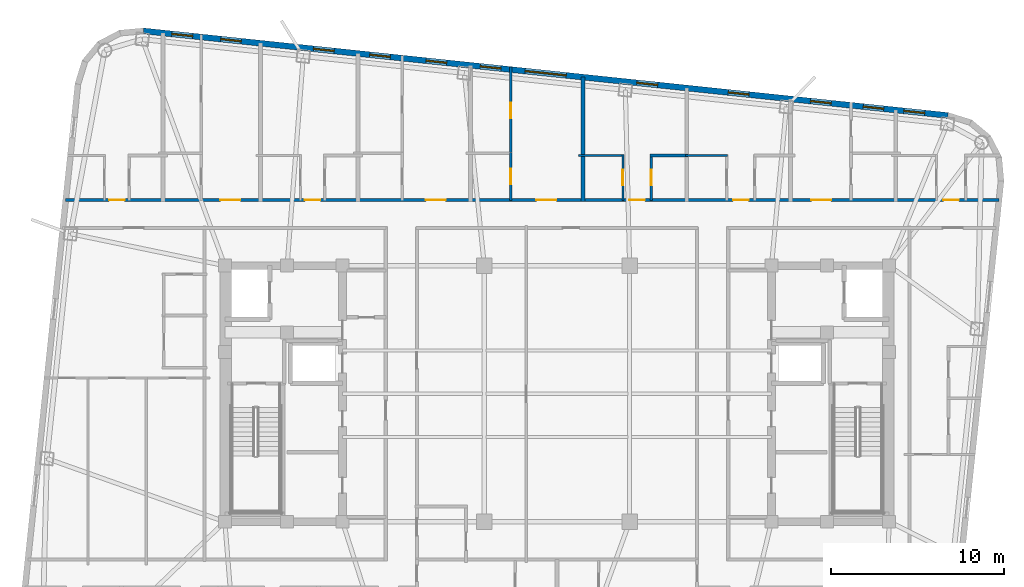
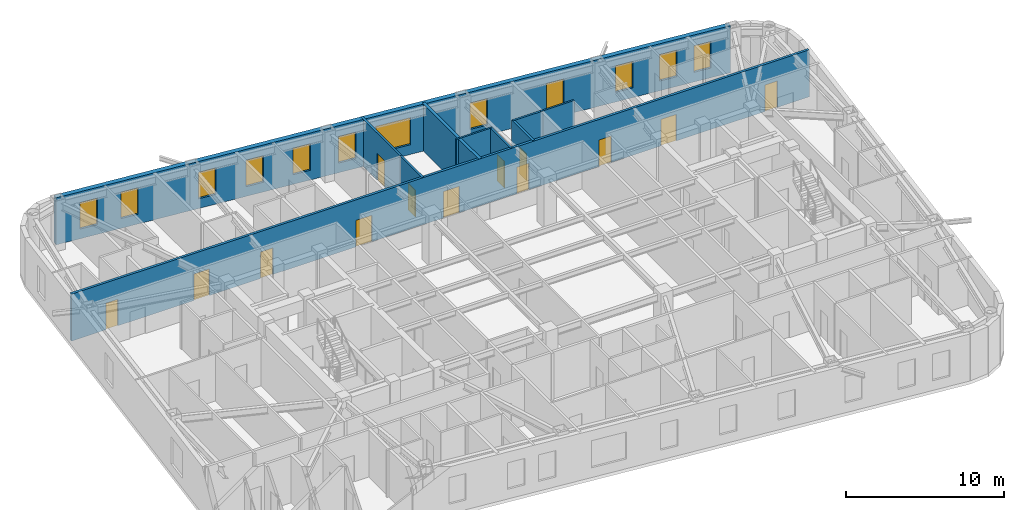
# One storey, part 8 of 11: 13 doors, 12 windows, 10 walls, 25 openings.
"""IFC4 building model written with IfcOpenShell, lengths in metres."""

from ifc_helpers import new_model, si_unit, direction, frame, frame_2d, origin, place, context, subcontext, project, spatial, rectangle, extrude, material, layer, layer_set, type_object, element, fill, save


model = new_model("IFC4")

# Units and contexts
model_context = context("Model", 3, precision=1e-05, world=origin(), true_north=direction((0.0, 1.0)))
body_context = subcontext(model_context, "Body", "Model", "MODEL_VIEW")
ifc_project = project(units=[si_unit("LENGTHUNIT", "METRE"), si_unit("AREAUNIT", "SQUARE_METRE"), si_unit("VOLUMEUNIT", "CUBIC_METRE"), si_unit("PLANEANGLEUNIT", "RADIAN"), si_unit("MASSUNIT", "GRAM", prefix="KILO")], contexts=[model_context])

# Site, building, storey
site_placement = place(None, origin())
site = spatial("IfcSite", under=ifc_project, at=site_placement, CompositionType="ELEMENT")
building_placement = place(site_placement, origin())
building = spatial("IfcBuilding", under=site, at=building_placement, Name="Voryun Gate Residences", CompositionType="ELEMENT")
storey_placement = place(building_placement, frame((0.0, 0.0, 287.300048828125)))
storey = spatial("IfcBuildingStorey", under=building, at=storey_placement, Name="L71", CompositionType="ELEMENT", Elevation=287.300048828125)

# Wall, openings, doors
ifc_material_1 = material(Name="Gypsum acoustic fireboard")
ifc_layer_1 = layer(ifc_material_1, 0.179931640625, Name="W_CORR_RATED_180")
ifc_layer_set_1 = layer_set([ifc_layer_1], Name="Gypsum acoustic fireboard")
wall_type_1 = type_object("IfcWallType", Name="W_CORR_RATED_180", PredefinedType="PARTITIONING", material=ifc_layer_set_1)
wall_1_placement = place(storey_placement, frame((-28.400634765625, 11.199951171875, 0.0), z_axis=(0.0, 0.0, 1.0), x_axis=(1.0, 0.0, 0.0)))
wall_1 = element("IfcWall", 1, at=wall_1_placement, inside=storey, type_object=wall_type_1, Name="Partition wall WP-L71-NCORR", PredefinedType="PARTITIONING", context=body_context, shape_type="SweptSolid", body=[
    extrude(rectangle(XDim=53.95556640625, YDim=0.179931640625, at=frame_2d((26.977783203125, 0.0))), origin(), (0.0, 0.0, 1.0), 3.635009765625),
])
opening_1_placement = place(wall_1_placement, frame((2.51220703125, 0.0, 0.0)))
opening_1 = element("IfcOpeningElement", 2, at=opening_1_placement, cuts=wall_1, Name="Opening D-INT-2", PredefinedType="OPENING", context=body_context, shape_type="SweptSolid", body=[
    extrude(rectangle(XDim=0.89990234375, YDim=2.050048828125, at=frame_2d((0.449951171875, 1.02490234375))), frame((0.0, 0.099853515625, 0.0), z_axis=(0.0, -1.0, 0.0), x_axis=(1.0, 0.0, 0.0)), (0.0, 0.0, 1.0), 0.199951171875),
])
opening_2_placement = place(wall_1_placement, frame((8.9482421875, 0.0, 0.0)))
opening_2 = element("IfcOpeningElement", 3, at=opening_2_placement, cuts=wall_1, Name="Opening D-UNIT-1", PredefinedType="OPENING", context=body_context, shape_type="SweptSolid", body=[
    extrude(rectangle(XDim=1.14990234375, YDim=2.050048828125, at=frame_2d((0.574951171875, 1.02490234375))), frame((0.0, 0.099853515625, 0.0), z_axis=(0.0, -1.0, 0.0), x_axis=(1.0, 0.0, 0.0)), (0.0, 0.0, 1.0), 0.199951171875),
])
opening_3_placement = place(wall_1_placement, frame((13.8212890625, 0.0, 0.0)))
opening_3 = element("IfcOpeningElement", 4, at=opening_3_placement, cuts=wall_1, Name="Opening D-INT-2", PredefinedType="OPENING", context=body_context, shape_type="SweptSolid", body=[
    extrude(rectangle(XDim=0.89990234375, YDim=2.050048828125, at=frame_2d((0.449951171875, 1.02490234375))), frame((0.0, 0.099853515625, 0.0), z_axis=(0.0, -1.0, 0.0), x_axis=(1.0, 0.0, 0.0)), (0.0, 0.0, 1.0), 0.199951171875),
])
opening_4_placement = place(wall_1_placement, frame((20.818359375, 0.0, 0.0)))
opening_4 = element("IfcOpeningElement", 5, at=opening_4_placement, cuts=wall_1, Name="Opening D-UNIT-1", PredefinedType="OPENING", context=body_context, shape_type="SweptSolid", body=[
    extrude(rectangle(XDim=1.14990234375, YDim=2.050048828125, at=frame_2d((0.574951171875, 1.02490234375))), frame((0.0, 0.099853515625, 0.0), z_axis=(0.0, -1.0, 0.0), x_axis=(1.0, 0.0, 0.0)), (0.0, 0.0, 1.0), 0.199951171875),
])
opening_5_placement = place(wall_1_placement, frame((27.212158203125, 0.0, 0.0)))
opening_5 = element("IfcOpeningElement", 6, at=opening_5_placement, cuts=wall_1, Name="Opening D-UNIT-1", PredefinedType="OPENING", context=body_context, shape_type="SweptSolid", body=[
    extrude(rectangle(XDim=1.14990234375, YDim=2.050048828125, at=frame_2d((0.574951171875, 1.02490234375))), frame((0.0, 0.099853515625, 0.0), z_axis=(0.0, -1.0, 0.0), x_axis=(1.0, 0.0, 0.0)), (0.0, 0.0, 1.0), 0.199951171875),
])
opening_6_placement = place(wall_1_placement, frame((32.576171875, 0.0, 0.0)))
opening_6 = element("IfcOpeningElement", 7, at=opening_6_placement, cuts=wall_1, Name="Opening D-INT-2", PredefinedType="OPENING", context=body_context, shape_type="SweptSolid", body=[
    extrude(rectangle(XDim=0.89990234375, YDim=2.050048828125, at=frame_2d((0.449951171875, 1.02490234375))), frame((0.0, 0.099853515625, 0.0), z_axis=(0.0, -1.0, 0.0), x_axis=(1.0, 0.0, 0.0)), (0.0, 0.0, 1.0), 0.199951171875),
])
opening_7_placement = place(wall_1_placement, frame((38.576171875, 0.0, 0.0)))
opening_7 = element("IfcOpeningElement", 8, at=opening_7_placement, cuts=wall_1, Name="Opening D-INT-2", PredefinedType="OPENING", context=body_context, shape_type="SweptSolid", body=[
    extrude(rectangle(XDim=0.89990234375, YDim=2.050048828125, at=frame_2d((0.449951171875, 1.02490234375))), frame((0.0, 0.099853515625, 0.0), z_axis=(0.0, -1.0, 0.0), x_axis=(1.0, 0.0, 0.0)), (0.0, 0.0, 1.0), 0.199951171875),
])
opening_8_placement = place(wall_1_placement, frame((43.10205078125, 0.0, 0.0)))
opening_8 = element("IfcOpeningElement", 9, at=opening_8_placement, cuts=wall_1, Name="Opening D-UNIT-1", PredefinedType="OPENING", context=body_context, shape_type="SweptSolid", body=[
    extrude(rectangle(XDim=1.14990234375, YDim=2.050048828125, at=frame_2d((0.574951171875, 1.02490234375))), frame((0.0, 0.099853515625, 0.0), z_axis=(0.0, -1.0, 0.0), x_axis=(1.0, 0.0, 0.0)), (0.0, 0.0, 1.0), 0.199951171875),
])
opening_9_placement = place(wall_1_placement, frame((50.732421875, 0.0, 0.0)))
opening_9 = element("IfcOpeningElement", 10, at=opening_9_placement, cuts=wall_1, Name="Opening D-INT-2", PredefinedType="OPENING", context=body_context, shape_type="SweptSolid", body=[
    extrude(rectangle(XDim=0.89990234375, YDim=2.050048828125, at=frame_2d((0.449951171875, 1.02490234375))), frame((0.0, 0.099853515625, 0.0), z_axis=(0.0, -1.0, 0.0), x_axis=(1.0, 0.0, 0.0)), (0.0, 0.0, 1.0), 0.199951171875),
])
ifc_material_2 = material(Name="Architectural oak veneer")
door_type_1 = type_object("IfcDoorType", Name="DR_INT_BATH_900", OperationType="NOTDEFINED", PredefinedType="DOOR", material=ifc_material_2)
door_1_placement = place(opening_1_placement, origin())
door_1 = element("IfcDoor", 11, at=door_1_placement, inside=storey, type_object=door_type_1, Name="Door DR-L71-NENT-1", OperationType="SINGLE_SWING_LEFT", OverallHeight=2.050048828125, OverallWidth=0.89990234375, PredefinedType="DOOR", context=body_context, shape_type="SweptSolid", body=[
    extrude(rectangle(XDim=0.89990234375, YDim=2.050048828125, at=frame_2d((0.449951171875, 1.02490234375))), frame((0.0, 0.02490234375, 0.0), z_axis=(0.0, -1.0, 0.0), x_axis=(1.0, 0.0, 0.0)), (0.0, 0.0, 1.0), 0.050048828125),
])
fill(opening_1, door_1)
door_2_placement = place(opening_3_placement, origin())
door_2 = element("IfcDoor", 12, at=door_2_placement, inside=storey, type_object=door_type_1, Name="Door DR-L71-NENT-3", OperationType="SINGLE_SWING_LEFT", OverallHeight=2.050048828125, OverallWidth=0.89990234375, PredefinedType="DOOR", context=body_context, shape_type="SweptSolid", body=[
    extrude(rectangle(XDim=0.89990234375, YDim=2.050048828125, at=frame_2d((0.449951171875, 1.02490234375))), frame((0.0, 0.02490234375, 0.0), z_axis=(0.0, -1.0, 0.0), x_axis=(1.0, 0.0, 0.0)), (0.0, 0.0, 1.0), 0.050048828125),
])
fill(opening_3, door_2)
door_3_placement = place(opening_6_placement, origin())
door_3 = element("IfcDoor", 13, at=door_3_placement, inside=storey, type_object=door_type_1, Name="Door DR-L71-NENT-6", OperationType="SINGLE_SWING_RIGHT", OverallHeight=2.050048828125, OverallWidth=0.89990234375, PredefinedType="DOOR", context=body_context, shape_type="SweptSolid", body=[
    extrude(rectangle(XDim=0.89990234375, YDim=2.050048828125, at=frame_2d((0.449951171875, 1.02490234375))), frame((0.0, 0.02490234375, 0.0), z_axis=(0.0, -1.0, 0.0), x_axis=(1.0, 0.0, 0.0)), (0.0, 0.0, 1.0), 0.050048828125),
])
fill(opening_6, door_3)
door_4_placement = place(opening_7_placement, origin())
door_4 = element("IfcDoor", 14, at=door_4_placement, inside=storey, type_object=door_type_1, Name="Door DR-L71-NENT-7", OperationType="SINGLE_SWING_LEFT", OverallHeight=2.050048828125, OverallWidth=0.89990234375, PredefinedType="DOOR", context=body_context, shape_type="SweptSolid", body=[
    extrude(rectangle(XDim=0.89990234375, YDim=2.050048828125, at=frame_2d((0.449951171875, 1.02490234375))), frame((0.0, 0.02490234375, 0.0), z_axis=(0.0, -1.0, 0.0), x_axis=(1.0, 0.0, 0.0)), (0.0, 0.0, 1.0), 0.050048828125),
])
fill(opening_7, door_4)
door_5_placement = place(opening_9_placement, origin())
door_5 = element("IfcDoor", 15, at=door_5_placement, inside=storey, type_object=door_type_1, Name="Door DR-L71-NENT-9", OperationType="SINGLE_SWING_LEFT", OverallHeight=2.050048828125, OverallWidth=0.89990234375, PredefinedType="DOOR", context=body_context, shape_type="SweptSolid", body=[
    extrude(rectangle(XDim=0.89990234375, YDim=2.050048828125, at=frame_2d((0.449951171875, 1.02490234375))), frame((0.0, 0.02490234375, 0.0), z_axis=(0.0, -1.0, 0.0), x_axis=(1.0, 0.0, 0.0)), (0.0, 0.0, 1.0), 0.050048828125),
])
fill(opening_9, door_5)
ifc_material_3 = material(Name="Armoured timber-clad fire door", Category="wood")
door_type_2 = type_object("IfcDoorType", Name="DR_UNIT_ENTRY_1150", OperationType="NOTDEFINED", PredefinedType="DOOR", material=ifc_material_3)
door_6_placement = place(opening_2_placement, origin())
door_6 = element("IfcDoor", 16, at=door_6_placement, inside=storey, type_object=door_type_2, Name="Door DR-L71-NENT-2", OperationType="SINGLE_SWING_RIGHT", OverallHeight=2.050048828125, OverallWidth=1.14990234375, PredefinedType="DOOR", context=body_context, shape_type="SweptSolid", body=[
    extrude(rectangle(XDim=1.14990234375, YDim=2.050048828125, at=frame_2d((0.574951171875, 1.02490234375))), frame((0.0, 0.02490234375, 0.0), z_axis=(0.0, -1.0, 0.0), x_axis=(1.0, 0.0, 0.0)), (0.0, 0.0, 1.0), 0.050048828125),
])
fill(opening_2, door_6)
door_7_placement = place(opening_4_placement, origin())
door_7 = element("IfcDoor", 17, at=door_7_placement, inside=storey, type_object=door_type_2, Name="Door DR-L71-NENT-4", OperationType="SINGLE_SWING_RIGHT", OverallHeight=2.050048828125, OverallWidth=1.14990234375, PredefinedType="DOOR", context=body_context, shape_type="SweptSolid", body=[
    extrude(rectangle(XDim=1.14990234375, YDim=2.050048828125, at=frame_2d((0.574951171875, 1.02490234375))), frame((0.0, 0.02490234375, 0.0), z_axis=(0.0, -1.0, 0.0), x_axis=(1.0, 0.0, 0.0)), (0.0, 0.0, 1.0), 0.050048828125),
])
fill(opening_4, door_7)
door_8_placement = place(opening_5_placement, origin())
door_8 = element("IfcDoor", 18, at=door_8_placement, inside=storey, type_object=door_type_2, Name="Door DR-L71-NENT-5", OperationType="SINGLE_SWING_LEFT", OverallHeight=2.050048828125, OverallWidth=1.14990234375, PredefinedType="DOOR", context=body_context, shape_type="SweptSolid", body=[
    extrude(rectangle(XDim=1.14990234375, YDim=2.050048828125, at=frame_2d((0.574951171875, 1.02490234375))), frame((0.0, 0.02490234375, 0.0), z_axis=(0.0, -1.0, 0.0), x_axis=(1.0, 0.0, 0.0)), (0.0, 0.0, 1.0), 0.050048828125),
])
fill(opening_5, door_8)
door_9_placement = place(opening_8_placement, origin())
door_9 = element("IfcDoor", 19, at=door_9_placement, inside=storey, type_object=door_type_2, Name="Door DR-L71-NENT-8", OperationType="SINGLE_SWING_RIGHT", OverallHeight=2.050048828125, OverallWidth=1.14990234375, PredefinedType="DOOR", context=body_context, shape_type="SweptSolid", body=[
    extrude(rectangle(XDim=1.14990234375, YDim=2.050048828125, at=frame_2d((0.574951171875, 1.02490234375))), frame((0.0, 0.02490234375, 0.0), z_axis=(0.0, -1.0, 0.0), x_axis=(1.0, 0.0, 0.0)), (0.0, 0.0, 1.0), 0.050048828125),
])
fill(opening_8, door_9)

# Wall, openings, windows
ifc_material_4 = material(Name="Charcoal terracotta masonry", Category="masonry")
ifc_layer_2 = layer(ifc_material_4, 0.340087890625, Name="W_EXT_TERRACOTTA_340")
ifc_layer_set_2 = layer_set([ifc_layer_2], Name="Charcoal terracotta masonry")
wall_type_2 = type_object("IfcWallType", Name="W_EXT_TERRACOTTA_340", PredefinedType="ELEMENTEDWALL", material=ifc_layer_set_2)
wall_2_placement = place(storey_placement, frame((-23.90771484375, 20.97216796875, 0.0), z_axis=(0.0, 0.0, 1.0), x_axis=(0.994521888554, -0.104528528102, 0.0)))
wall_2 = element("IfcWall", 20, at=wall_2_placement, inside=storey, type_object=wall_type_2, Name="Exterior wall WEXT-L71-11", PredefinedType="ELEMENTEDWALL", context=body_context, shape_type="SweptSolid", body=[
    extrude(rectangle(XDim=46.766357421875, YDim=0.340087890625, at=frame_2d((23.38330078125, 0.0))), origin(), (0.0, 0.0, 1.0), 3.635009765625),
])
opening_10_placement = place(wall_2_placement, frame((22.18310546875, 0.0, 0.75)))
opening_10 = element("IfcOpeningElement", 21, at=opening_10_placement, cuts=wall_2, Name="Opening WN2", PredefinedType="OPENING", context=body_context, shape_type="SweptSolid", body=[
    extrude(rectangle(XDim=2.39990234375, YDim=2.10009765625, at=frame_2d((1.199951171875, 1.050048828125))), frame((0.0, 0.179931640625, 0.0), z_axis=(0.0, -1.0, 0.0), x_axis=(1.0, 0.0, 0.0)), (0.0, 0.0, 1.0), 0.360107421875),
])
opening_11_placement = place(wall_2_placement, frame((4.490478515625, 0.0, 0.75)))
opening_11 = element("IfcOpeningElement", 22, at=opening_11_placement, cuts=wall_2, Name="Opening WN6", PredefinedType="OPENING", context=body_context, shape_type="SweptSolid", body=[
    extrude(rectangle(XDim=1.199951171875, YDim=2.050048828125, at=frame_2d((0.60009765625, 1.02490234375))), frame((0.0, 0.179931640625, 0.0), z_axis=(0.0, -1.0, 0.0), x_axis=(1.0, 0.0, 0.0)), (0.0, 0.0, 1.0), 0.360107421875),
])
opening_12_placement = place(wall_2_placement, frame((1.657470703125, 0.0, 0.75)))
opening_12 = element("IfcOpeningElement", 23, at=opening_12_placement, cuts=wall_2, Name="Opening WN6", PredefinedType="OPENING", context=body_context, shape_type="SweptSolid", body=[
    extrude(rectangle(XDim=1.199951171875, YDim=2.050048828125, at=frame_2d((0.60009765625, 1.02490234375))), frame((0.0, 0.179931640625, 0.0), z_axis=(0.0, -1.0, 0.0), x_axis=(1.0, 0.0, 0.0)), (0.0, 0.0, 1.0), 0.360107421875),
])
opening_13_placement = place(wall_2_placement, frame((9.885498046875, 0.0, 0.75)))
opening_13 = element("IfcOpeningElement", 24, at=opening_13_placement, cuts=wall_2, Name="Opening WN6", PredefinedType="OPENING", context=body_context, shape_type="SweptSolid", body=[
    extrude(rectangle(XDim=1.199951171875, YDim=2.050048828125, at=frame_2d((0.60009765625, 1.02490234375))), frame((0.0, 0.179931640625, 0.0), z_axis=(0.0, -1.0, 0.0), x_axis=(1.0, 0.0, 0.0)), (0.0, 0.0, 1.0), 0.360107421875),
])
opening_14_placement = place(wall_2_placement, frame((16.427490234375, 0.0, 0.75)))
opening_14 = element("IfcOpeningElement", 25, at=opening_14_placement, cuts=wall_2, Name="Opening WN6", PredefinedType="OPENING", context=body_context, shape_type="SweptSolid", body=[
    extrude(rectangle(XDim=1.199951171875, YDim=2.050048828125, at=frame_2d((0.60009765625, 1.02490234375))), frame((0.0, 0.179931640625, 0.0), z_axis=(0.0, -1.0, 0.0), x_axis=(1.0, 0.0, 0.0)), (0.0, 0.0, 1.0), 0.360107421875),
])
opening_15_placement = place(wall_2_placement, frame((13.159423828125, 0.0, 0.75)))
opening_15 = element("IfcOpeningElement", 26, at=opening_15_placement, cuts=wall_2, Name="Opening WN6", PredefinedType="OPENING", context=body_context, shape_type="SweptSolid", body=[
    extrude(rectangle(XDim=1.199951171875, YDim=2.050048828125, at=frame_2d((0.60009765625, 1.02490234375))), frame((0.0, 0.179931640625, 0.0), z_axis=(0.0, -1.0, 0.0), x_axis=(1.0, 0.0, 0.0)), (0.0, 0.0, 1.0), 0.360107421875),
])
opening_16_placement = place(wall_2_placement, frame((19.586181640625, 0.0, 0.75)))
opening_16 = element("IfcOpeningElement", 27, at=opening_16_placement, cuts=wall_2, Name="Opening WN6", PredefinedType="OPENING", context=body_context, shape_type="SweptSolid", body=[
    extrude(rectangle(XDim=1.199951171875, YDim=2.050048828125, at=frame_2d((0.60009765625, 1.02490234375))), frame((0.0, 0.179931640625, 0.0), z_axis=(0.0, -1.0, 0.0), x_axis=(1.0, 0.0, 0.0)), (0.0, 0.0, 1.0), 0.360107421875),
])
opening_17_placement = place(wall_2_placement, frame((28.6865234375, 0.0, 0.75)))
opening_17 = element("IfcOpeningElement", 28, at=opening_17_placement, cuts=wall_2, Name="Opening WN6", PredefinedType="OPENING", context=body_context, shape_type="SweptSolid", body=[
    extrude(rectangle(XDim=1.199951171875, YDim=2.050048828125, at=frame_2d((0.60009765625, 1.02490234375))), frame((0.0, 0.179931640625, 0.0), z_axis=(0.0, -1.0, 0.0), x_axis=(1.0, 0.0, 0.0)), (0.0, 0.0, 1.0), 0.360107421875),
])
opening_18_placement = place(wall_2_placement, frame((33.99951171875, 0.0, 0.75)))
opening_18 = element("IfcOpeningElement", 29, at=opening_18_placement, cuts=wall_2, Name="Opening WN6", PredefinedType="OPENING", context=body_context, shape_type="SweptSolid", body=[
    extrude(rectangle(XDim=1.199951171875, YDim=2.050048828125, at=frame_2d((0.60009765625, 1.02490234375))), frame((0.0, 0.179931640625, 0.0), z_axis=(0.0, -1.0, 0.0), x_axis=(1.0, 0.0, 0.0)), (0.0, 0.0, 1.0), 0.360107421875),
])
opening_19_placement = place(wall_2_placement, frame((38.77490234375, 0.0, 0.75)))
opening_19 = element("IfcOpeningElement", 30, at=opening_19_placement, cuts=wall_2, Name="Opening WN6", PredefinedType="OPENING", context=body_context, shape_type="SweptSolid", body=[
    extrude(rectangle(XDim=1.199951171875, YDim=2.050048828125, at=frame_2d((0.60009765625, 1.02490234375))), frame((0.0, 0.179931640625, 0.0), z_axis=(0.0, -1.0, 0.0), x_axis=(1.0, 0.0, 0.0)), (0.0, 0.0, 1.0), 0.360107421875),
])
opening_20_placement = place(wall_2_placement, frame((41.835693359375, 0.0, 0.75)))
opening_20 = element("IfcOpeningElement", 31, at=opening_20_placement, cuts=wall_2, Name="Opening WN6", PredefinedType="OPENING", context=body_context, shape_type="SweptSolid", body=[
    extrude(rectangle(XDim=1.199951171875, YDim=2.050048828125, at=frame_2d((0.60009765625, 1.02490234375))), frame((0.0, 0.179931640625, 0.0), z_axis=(0.0, -1.0, 0.0), x_axis=(1.0, 0.0, 0.0)), (0.0, 0.0, 1.0), 0.360107421875),
])
opening_21_placement = place(wall_2_placement, frame((44.205810546875, 0.0, 0.75)))
opening_21 = element("IfcOpeningElement", 32, at=opening_21_placement, cuts=wall_2, Name="Opening WN6", PredefinedType="OPENING", context=body_context, shape_type="SweptSolid", body=[
    extrude(rectangle(XDim=1.199951171875, YDim=2.050048828125, at=frame_2d((0.60009765625, 1.02490234375))), frame((0.0, 0.179931640625, 0.0), z_axis=(0.0, -1.0, 0.0), x_axis=(1.0, 0.0, 0.0)), (0.0, 0.0, 1.0), 0.360107421875),
])
ifc_material_5 = material(Name="Laminated low-E glass", Category="glass")
window_type_1 = type_object("IfcWindowType", Name="WN_POD_SLOT_1200", PartitioningType="SINGLE_PANEL", PredefinedType="WINDOW", material=ifc_material_5)
window_1_placement = place(opening_11_placement, origin())
window_1 = element("IfcWindow", 33, at=window_1_placement, inside=storey, type_object=window_type_1, Name="Window WN-L71-DWFIX-02", OverallHeight=2.050048828125, OverallWidth=1.199951171875, PartitioningType="SINGLE_PANEL", PredefinedType="WINDOW", context=body_context, shape_type="SweptSolid", body=[
    extrude(rectangle(XDim=1.199951171875, YDim=2.050048828125, at=frame_2d((0.60009765625, 1.02490234375))), frame((0.0, 0.030029296875, 0.0), z_axis=(0.0, -1.0, 0.0), x_axis=(1.0, 0.0, 0.0)), (0.0, 0.0, 1.0), 0.06005859375),
])
fill(opening_11, window_1)
window_2_placement = place(opening_12_placement, origin())
window_2 = element("IfcWindow", 34, at=window_2_placement, inside=storey, type_object=window_type_1, Name="Window WN-L71-DWFIX-03", OverallHeight=2.050048828125, OverallWidth=1.199951171875, PartitioningType="SINGLE_PANEL", PredefinedType="WINDOW", context=body_context, shape_type="SweptSolid", body=[
    extrude(rectangle(XDim=1.199951171875, YDim=2.050048828125, at=frame_2d((0.60009765625, 1.02490234375))), frame((0.0, 0.030029296875, 0.0), z_axis=(0.0, -1.0, 0.0), x_axis=(1.0, 0.0, 0.0)), (0.0, 0.0, 1.0), 0.06005859375),
])
fill(opening_12, window_2)
window_3_placement = place(opening_13_placement, origin())
window_3 = element("IfcWindow", 35, at=window_3_placement, inside=storey, type_object=window_type_1, Name="Window WN-L71-DWFIX-04", OverallHeight=2.050048828125, OverallWidth=1.199951171875, PartitioningType="SINGLE_PANEL", PredefinedType="WINDOW", context=body_context, shape_type="SweptSolid", body=[
    extrude(rectangle(XDim=1.199951171875, YDim=2.050048828125, at=frame_2d((0.60009765625, 1.02490234375))), frame((0.0, 0.030029296875, 0.0), z_axis=(0.0, -1.0, 0.0), x_axis=(1.0, 0.0, 0.0)), (0.0, 0.0, 1.0), 0.06005859375),
])
fill(opening_13, window_3)
window_4_placement = place(opening_14_placement, origin())
window_4 = element("IfcWindow", 36, at=window_4_placement, inside=storey, type_object=window_type_1, Name="Window WN-L71-DWFIX-05", OverallHeight=2.050048828125, OverallWidth=1.199951171875, PartitioningType="SINGLE_PANEL", PredefinedType="WINDOW", context=body_context, shape_type="SweptSolid", body=[
    extrude(rectangle(XDim=1.199951171875, YDim=2.050048828125, at=frame_2d((0.60009765625, 1.02490234375))), frame((0.0, 0.030029296875, 0.0), z_axis=(0.0, -1.0, 0.0), x_axis=(1.0, 0.0, 0.0)), (0.0, 0.0, 1.0), 0.06005859375),
])
fill(opening_14, window_4)
window_5_placement = place(opening_15_placement, origin())
window_5 = element("IfcWindow", 37, at=window_5_placement, inside=storey, type_object=window_type_1, Name="Window WN-L71-DWFIX-06", OverallHeight=2.050048828125, OverallWidth=1.199951171875, PartitioningType="SINGLE_PANEL", PredefinedType="WINDOW", context=body_context, shape_type="SweptSolid", body=[
    extrude(rectangle(XDim=1.199951171875, YDim=2.050048828125, at=frame_2d((0.60009765625, 1.02490234375))), frame((0.0, 0.030029296875, 0.0), z_axis=(0.0, -1.0, 0.0), x_axis=(1.0, 0.0, 0.0)), (0.0, 0.0, 1.0), 0.06005859375),
])
fill(opening_15, window_5)
window_6_placement = place(opening_16_placement, origin())
window_6 = element("IfcWindow", 38, at=window_6_placement, inside=storey, type_object=window_type_1, Name="Window WN-L71-DWFIX-07", OverallHeight=2.050048828125, OverallWidth=1.199951171875, PartitioningType="SINGLE_PANEL", PredefinedType="WINDOW", context=body_context, shape_type="SweptSolid", body=[
    extrude(rectangle(XDim=1.199951171875, YDim=2.050048828125, at=frame_2d((0.60009765625, 1.02490234375))), frame((0.0, 0.030029296875, 0.0), z_axis=(0.0, -1.0, 0.0), x_axis=(1.0, 0.0, 0.0)), (0.0, 0.0, 1.0), 0.06005859375),
])
fill(opening_16, window_6)
window_7_placement = place(opening_17_placement, origin())
window_7 = element("IfcWindow", 39, at=window_7_placement, inside=storey, type_object=window_type_1, Name="Window WN-L71-DWFIX-08", OverallHeight=2.050048828125, OverallWidth=1.199951171875, PartitioningType="SINGLE_PANEL", PredefinedType="WINDOW", context=body_context, shape_type="SweptSolid", body=[
    extrude(rectangle(XDim=1.199951171875, YDim=2.050048828125, at=frame_2d((0.60009765625, 1.02490234375))), frame((0.0, 0.030029296875, 0.0), z_axis=(0.0, -1.0, 0.0), x_axis=(1.0, 0.0, 0.0)), (0.0, 0.0, 1.0), 0.06005859375),
])
fill(opening_17, window_7)
window_8_placement = place(opening_18_placement, origin())
window_8 = element("IfcWindow", 40, at=window_8_placement, inside=storey, type_object=window_type_1, Name="Window WN-L71-DWFIX-09", OverallHeight=2.050048828125, OverallWidth=1.199951171875, PartitioningType="SINGLE_PANEL", PredefinedType="WINDOW", context=body_context, shape_type="SweptSolid", body=[
    extrude(rectangle(XDim=1.199951171875, YDim=2.050048828125, at=frame_2d((0.60009765625, 1.02490234375))), frame((0.0, 0.030029296875, 0.0), z_axis=(0.0, -1.0, 0.0), x_axis=(1.0, 0.0, 0.0)), (0.0, 0.0, 1.0), 0.06005859375),
])
fill(opening_18, window_8)
window_9_placement = place(opening_19_placement, origin())
window_9 = element("IfcWindow", 41, at=window_9_placement, inside=storey, type_object=window_type_1, Name="Window WN-L71-DWFIX-10", OverallHeight=2.050048828125, OverallWidth=1.199951171875, PartitioningType="SINGLE_PANEL", PredefinedType="WINDOW", context=body_context, shape_type="SweptSolid", body=[
    extrude(rectangle(XDim=1.199951171875, YDim=2.050048828125, at=frame_2d((0.60009765625, 1.02490234375))), frame((0.0, 0.030029296875, 0.0), z_axis=(0.0, -1.0, 0.0), x_axis=(1.0, 0.0, 0.0)), (0.0, 0.0, 1.0), 0.06005859375),
])
fill(opening_19, window_9)
window_10_placement = place(opening_20_placement, origin())
window_10 = element("IfcWindow", 42, at=window_10_placement, inside=storey, type_object=window_type_1, Name="Window WN-L71-DWFIX-11", OverallHeight=2.050048828125, OverallWidth=1.199951171875, PartitioningType="SINGLE_PANEL", PredefinedType="WINDOW", context=body_context, shape_type="SweptSolid", body=[
    extrude(rectangle(XDim=1.199951171875, YDim=2.050048828125, at=frame_2d((0.60009765625, 1.02490234375))), frame((0.0, 0.030029296875, 0.0), z_axis=(0.0, -1.0, 0.0), x_axis=(1.0, 0.0, 0.0)), (0.0, 0.0, 1.0), 0.06005859375),
])
fill(opening_20, window_10)
window_11_placement = place(opening_21_placement, origin())
window_11 = element("IfcWindow", 43, at=window_11_placement, inside=storey, type_object=window_type_1, Name="Window WN-L71-DWFIX-12", OverallHeight=2.050048828125, OverallWidth=1.199951171875, PartitioningType="SINGLE_PANEL", PredefinedType="WINDOW", context=body_context, shape_type="SweptSolid", body=[
    extrude(rectangle(XDim=1.199951171875, YDim=2.050048828125, at=frame_2d((0.60009765625, 1.02490234375))), frame((0.0, 0.030029296875, 0.0), z_axis=(0.0, -1.0, 0.0), x_axis=(1.0, 0.0, 0.0)), (0.0, 0.0, 1.0), 0.06005859375),
])
fill(opening_21, window_11)
ifc_material_6 = material(Name="Laminated low-E glass", Category="glass")
window_type_2 = type_object("IfcWindowType", Name="WN_RES_WIDE_2400", PartitioningType="SINGLE_PANEL", PredefinedType="WINDOW", material=ifc_material_6)
window_12_placement = place(opening_10_placement, origin())
window_12 = element("IfcWindow", 44, at=window_12_placement, inside=storey, type_object=window_type_2, Name="Window WN-WEXT-L71-11-02", OverallHeight=2.10009765625, OverallWidth=2.39990234375, PartitioningType="SINGLE_PANEL", PredefinedType="WINDOW", context=body_context, shape_type="SweptSolid", body=[
    extrude(rectangle(XDim=2.39990234375, YDim=2.10009765625, at=frame_2d((1.199951171875, 1.050048828125))), frame((0.0, 0.030029296875, 0.0), z_axis=(0.0, -1.0, 0.0), x_axis=(1.0, 0.0, 0.0)), (0.0, 0.0, 1.0), 0.06005859375),
])
fill(opening_10, window_12)

# Wall
ifc_material_7 = material(Name="Concrete C40/50", Category="concrete")
ifc_layer_3 = layer(ifc_material_7, 0.219970703125, Name="W_PARTY_ACOUSTIC_220")
ifc_layer_set_3 = layer_set([ifc_layer_3], Name="Concrete C40/50")
wall_type_3 = type_object("IfcWallType", Name="W_PARTY_ACOUSTIC_220", PredefinedType="PARTITIONING", material=ifc_layer_set_3)
wall_3_placement = place(storey_placement, frame((1.5, 11.1201171875, 0.0), z_axis=(0.0, 0.0, 1.0), x_axis=(0.0, 1.0, 0.0)))
element("IfcWall", 45, at=wall_3_placement, inside=storey, type_object=wall_type_3, Name="Partition wall WP-L71-NPTY-5", PredefinedType="PARTITIONING", context=body_context, shape_type="SweptSolid", body=[
    extrude(rectangle(XDim=7.181640625, YDim=0.219970703125, at=frame_2d((3.5908203125, 0.0))), origin(), (0.0, 0.0, 1.0), 3.635009765625),
])

# Wall, opening, door
ifc_material_8 = material(Name="Gypsum acoustic partition")
ifc_layer_4 = layer(ifc_material_8, 0.125, Name="W_UNIT_PART_125")
ifc_layer_set_4 = layer_set([ifc_layer_4], Name="Gypsum acoustic partition")
wall_type_4 = type_object("IfcWallType", Name="W_UNIT_PART_125", PredefinedType="PARTITIONING", material=ifc_layer_set_4)
wall_4_placement = place(storey_placement, frame((3.81005859375, 11.179931640625, 0.0), z_axis=(0.0, 0.0, 1.0), x_axis=(0.0, 1.0, 0.0)))
wall_4 = element("IfcWall", 46, at=wall_4_placement, inside=storey, type_object=wall_type_4, Name="Partition wall WP-L71-N6-CVK", PredefinedType="PARTITIONING", context=body_context, shape_type="SweptSolid", body=[
    extrude(rectangle(XDim=2.650146484375, YDim=0.125, at=frame_2d((1.3251953125, 0.0))), origin(), (0.0, 0.0, 1.0), 3.635009765625),
])
opening_22_placement = place(wall_4_placement, frame((0.875, 0.0, 0.0)))
opening_22 = element("IfcOpeningElement", 47, at=opening_22_placement, cuts=wall_4, Name="Opening D-INT-2", PredefinedType="OPENING", context=body_context, shape_type="SweptSolid", body=[
    extrude(rectangle(XDim=0.89990234375, YDim=2.050048828125, at=frame_2d((0.449951171875, 1.02490234375))), frame((0.0, 0.072509765625, 0.0), z_axis=(0.0, -1.0, 0.0), x_axis=(1.0, 0.0, 0.0)), (0.0, 0.0, 1.0), 0.14501953125),
])
door_10_placement = place(opening_22_placement, origin())
door_10 = element("IfcDoor", 48, at=door_10_placement, inside=storey, type_object=door_type_1, Name="Door DR-L71-N6-DK", OperationType="SINGLE_SWING_LEFT", OverallHeight=2.050048828125, OverallWidth=0.89990234375, PredefinedType="DOOR", context=body_context, shape_type="SweptSolid", body=[
    extrude(rectangle(XDim=0.89990234375, YDim=2.050048828125, at=frame_2d((0.449951171875, 1.02490234375))), frame((0.0, 0.02490234375, 0.0), z_axis=(0.0, -1.0, 0.0), x_axis=(1.0, 0.0, 0.0)), (0.0, 0.0, 1.0), 0.050048828125),
])
fill(opening_22, door_10)

# Walls
wall_5_placement = place(storey_placement, frame((1.239990234375, 13.77001953125, 0.0), z_axis=(0.0, 0.0, 1.0), x_axis=(1.0, 0.0, 0.0)))
element("IfcWall", 49, at=wall_5_placement, inside=storey, type_object=wall_type_4, Name="Partition wall WP-L71-N6-CHK", PredefinedType="PARTITIONING", context=body_context, shape_type="SweptSolid", body=[
    extrude(rectangle(XDim=2.630126953125, YDim=0.125, at=frame_2d((1.31494140625, 0.0))), origin(), (0.0, 0.0, 1.0), 3.635009765625),
])
wall_6_placement = place(storey_placement, frame((7.425048828125, 13.77001953125, 0.0), z_axis=(0.0, 0.0, 1.0), x_axis=(1.0, 0.0, 0.0)))
element("IfcWall", 50, at=wall_6_placement, inside=storey, type_object=wall_type_4, Name="Partition wall WP-L71-N7-CHK", PredefinedType="PARTITIONING", context=body_context, shape_type="SweptSolid", body=[
    extrude(rectangle(XDim=2.445068359375, YDim=0.125, at=frame_2d((1.22265625, 0.0))), origin(), (0.0, 0.0, 1.0), 3.635009765625),
])

# Wall, opening, door
ifc_material_9 = material(Name="Gypsum moisture-resistant partition")
ifc_layer_5 = layer(ifc_material_9, 0.14990234375, Name="W_WET_PLUMB_150")
ifc_layer_set_5 = layer_set([ifc_layer_5], Name="Gypsum moisture-resistant partition")
wall_type_5 = type_object("IfcWallType", Name="W_WET_PLUMB_150", PredefinedType="PLUMBINGWALL", material=ifc_layer_set_5)
wall_7_placement = place(storey_placement, frame((-2.6689453125, 11.179931640625, 0.0), z_axis=(0.0, 0.0, 1.0), x_axis=(0.0, 1.0, 0.0)))
wall_7 = element("IfcWall", 51, at=wall_7_placement, inside=storey, type_object=wall_type_5, Name="Partition wall WP-L71-N5-SVT1", PredefinedType="PLUMBINGWALL", context=body_context, shape_type="SweptSolid", body=[
    extrude(rectangle(XDim=2.760009765625, YDim=0.14990234375, at=frame_2d((1.3798828125, 0.0))), origin(), (0.0, 0.0, 1.0), 3.635009765625),
])
opening_23_placement = place(wall_7_placement, frame((0.929931640625, 0.0, 0.0)))
opening_23 = element("IfcOpeningElement", 52, at=opening_23_placement, cuts=wall_7, Name="Opening D-INT-2", PredefinedType="OPENING", context=body_context, shape_type="SweptSolid", body=[
    extrude(rectangle(XDim=0.89990234375, YDim=2.050048828125, at=frame_2d((0.449951171875, 1.02490234375))), frame((0.0, 0.0849609375, 0.0), z_axis=(0.0, -1.0, 0.0), x_axis=(1.0, 0.0, 0.0)), (0.0, 0.0, 1.0), 0.169921875),
])
door_11_placement = place(opening_23_placement, origin())
door_11 = element("IfcDoor", 53, at=door_11_placement, inside=storey, type_object=door_type_1, Name="Door DR-L71-N5-DB", OperationType="SINGLE_SWING_LEFT", OverallHeight=2.050048828125, OverallWidth=0.89990234375, PredefinedType="DOOR", context=body_context, shape_type="SweptSolid", body=[
    extrude(rectangle(XDim=0.89990234375, YDim=2.050048828125, at=frame_2d((0.449951171875, 1.02490234375))), frame((0.0, 0.02490234375, 0.0), z_axis=(0.0, -1.0, 0.0), x_axis=(1.0, 0.0, 0.0)), (0.0, 0.0, 1.0), 0.050048828125),
])
fill(opening_23, door_11)

wall_8_placement = place(storey_placement, frame((-2.6689453125, 13.860107421875, 0.0), z_axis=(0.0, 0.0, 1.0), x_axis=(0.0, 1.0, 0.0)))
wall_8 = element("IfcWall", 54, at=wall_8_placement, inside=storey, type_object=wall_type_5, Name="Partition wall WP-L71-N5-SVT2", PredefinedType="PLUMBINGWALL", context=body_context, shape_type="SweptSolid", body=[
    extrude(rectangle(XDim=5.030517578125, YDim=0.14990234375, at=frame_2d((2.51513671875, 0.0))), origin(), (0.0, 0.0, 1.0), 3.635009765625),
])
opening_24_placement = place(wall_8_placement, frame((2.065185546875, 0.0, 0.0)))
opening_24 = element("IfcOpeningElement", 55, at=opening_24_placement, cuts=wall_8, Name="Opening D-INT-2", PredefinedType="OPENING", context=body_context, shape_type="SweptSolid", body=[
    extrude(rectangle(XDim=0.89990234375, YDim=2.050048828125, at=frame_2d((0.449951171875, 1.02490234375))), frame((0.0, 0.0849609375, 0.0), z_axis=(0.0, -1.0, 0.0), x_axis=(1.0, 0.0, 0.0)), (0.0, 0.0, 1.0), 0.169921875),
])
door_12_placement = place(opening_24_placement, origin())
door_12 = element("IfcDoor", 56, at=door_12_placement, inside=storey, type_object=door_type_1, Name="Door DR-L71-N5-DK", OperationType="SINGLE_SWING_RIGHT", OverallHeight=2.050048828125, OverallWidth=0.89990234375, PredefinedType="DOOR", context=body_context, shape_type="SweptSolid", body=[
    extrude(rectangle(XDim=0.89990234375, YDim=2.050048828125, at=frame_2d((0.449951171875, 1.02490234375))), frame((0.0, 0.02490234375, 0.0), z_axis=(0.0, -1.0, 0.0), x_axis=(1.0, 0.0, 0.0)), (0.0, 0.0, 1.0), 0.050048828125),
])
fill(opening_24, door_12)

wall_9_placement = place(storey_placement, frame((5.44091796875, 11.179931640625, 0.0), z_axis=(0.0, 0.0, 1.0), x_axis=(0.0, 1.0, 0.0)))
wall_9 = element("IfcWall", 57, at=wall_9_placement, inside=storey, type_object=wall_type_5, Name="Partition wall WP-L71-N6-CVB", PredefinedType="PLUMBINGWALL", context=body_context, shape_type="SweptSolid", body=[
    extrude(rectangle(XDim=2.650146484375, YDim=0.14990234375, at=frame_2d((1.3251953125, 0.0))), origin(), (0.0, 0.0, 1.0), 3.635009765625),
])
opening_25_placement = place(wall_9_placement, frame((0.875, 0.0, 0.0)))
opening_25 = element("IfcOpeningElement", 58, at=opening_25_placement, cuts=wall_9, Name="Opening D-INT-2", PredefinedType="OPENING", context=body_context, shape_type="SweptSolid", body=[
    extrude(rectangle(XDim=0.89990234375, YDim=2.050048828125, at=frame_2d((0.449951171875, 1.02490234375))), frame((0.0, 0.0849609375, 0.0), z_axis=(0.0, -1.0, 0.0), x_axis=(1.0, 0.0, 0.0)), (0.0, 0.0, 1.0), 0.169921875),
])
door_13_placement = place(opening_25_placement, origin())
door_13 = element("IfcDoor", 59, at=door_13_placement, inside=storey, type_object=door_type_1, Name="Door DR-L71-N6-DB", OperationType="SINGLE_SWING_RIGHT", OverallHeight=2.050048828125, OverallWidth=0.89990234375, PredefinedType="DOOR", context=body_context, shape_type="SweptSolid", body=[
    extrude(rectangle(XDim=0.89990234375, YDim=2.050048828125, at=frame_2d((0.449951171875, 1.02490234375))), frame((0.0, 0.02490234375, 0.0), z_axis=(0.0, -1.0, 0.0), x_axis=(1.0, 0.0, 0.0)), (0.0, 0.0, 1.0), 0.050048828125),
])
fill(opening_25, door_13)

# Wall
wall_10_placement = place(storey_placement, frame((5.381103515625, 13.77001953125, 0.0), z_axis=(0.0, 0.0, 1.0), x_axis=(1.0, 0.0, 0.0)))
element("IfcWall", 60, at=wall_10_placement, inside=storey, type_object=wall_type_5, Name="Partition wall WP-L71-N6-CHB", PredefinedType="PLUMBINGWALL", context=body_context, shape_type="SweptSolid", body=[
    extrude(rectangle(XDim=2.19384765625, YDim=0.14990234375, at=frame_2d((1.096923828125, 0.0))), origin(), (0.0, 0.0, 1.0), 3.635009765625),
])

save(model, "model.ifc")
